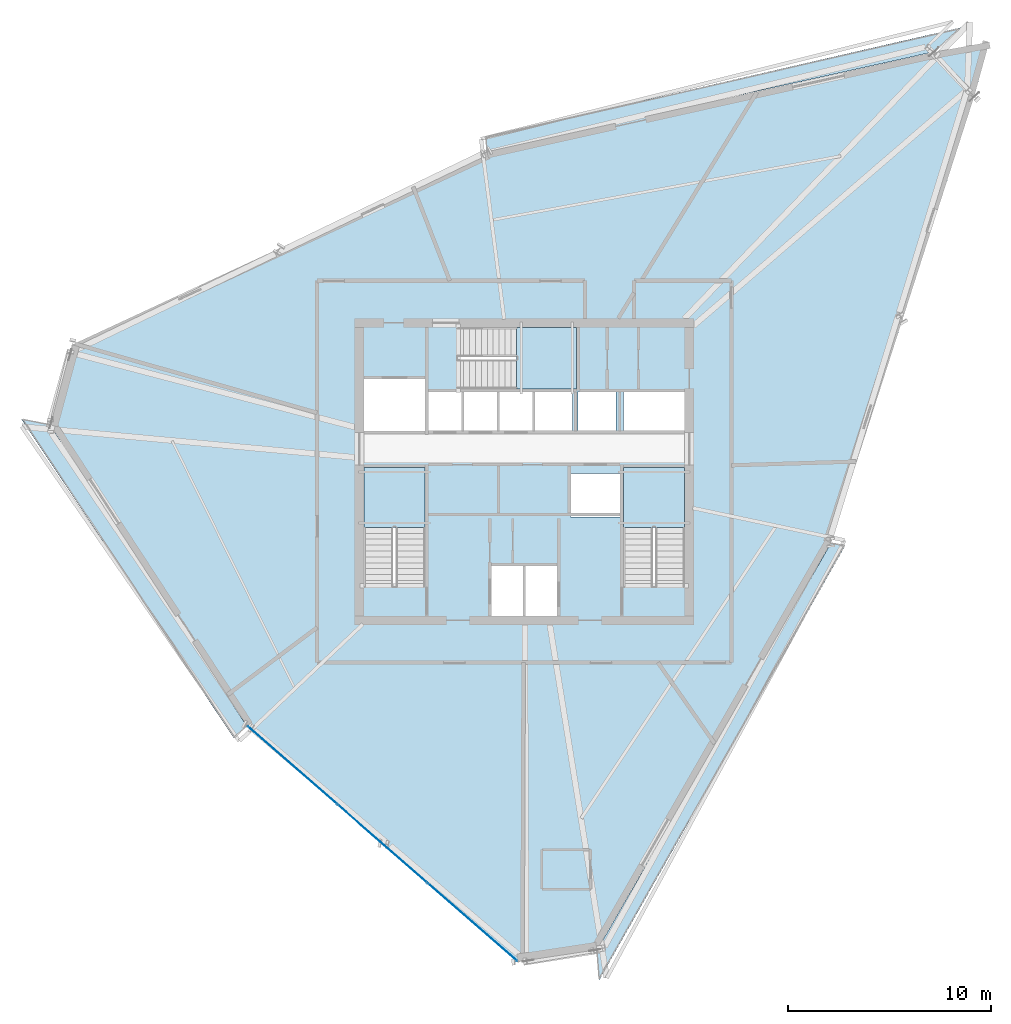
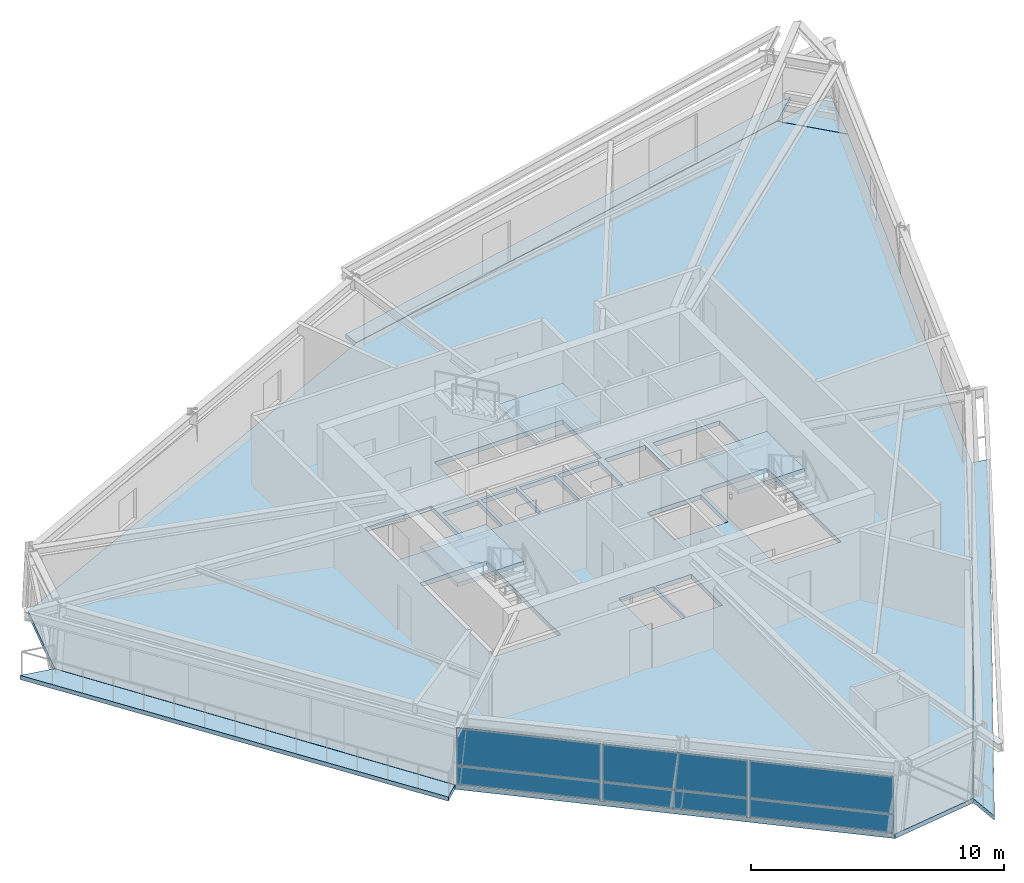
# One storey, part 5 of 13: 8 slabs, 6 plates, 4 elements without a shape of their own.
"""IFC4 building model written with IfcOpenShell, lengths in metres."""

from ifc_helpers import new_model, si_unit, direction, frame, origin, origin_2d, place, context, subcontext, project, spatial, polyline, rectangle, outline, extrude, source, transform, mapped, material, layer, layer_set, type_object, element, aggregate, save


model = new_model("IFC4")

# Units and contexts
model_context = context("Model", 3, precision=1e-05, world=origin(), true_north=direction((0.0, 1.0)))
body_context = subcontext(model_context, "Body", "Model", "MODEL_VIEW")
ifc_project = project(units=[si_unit("LENGTHUNIT", "METRE"), si_unit("AREAUNIT", "SQUARE_METRE"), si_unit("VOLUMEUNIT", "CUBIC_METRE"), si_unit("PLANEANGLEUNIT", "RADIAN"), si_unit("MASSUNIT", "GRAM", prefix="KILO")], contexts=[model_context])

# Site, building, storey
site_placement = place(None, origin())
site = spatial("IfcSite", under=ifc_project, at=site_placement, CompositionType="ELEMENT")
building_placement = place(site_placement, origin())
building = spatial("IfcBuilding", under=site, at=building_placement, Name="Olszyna Solenne Hotel", CompositionType="ELEMENT")
storey_placement = place(building_placement, frame((0.0, 0.0, 209.60009765625)))
storey = spatial("IfcBuildingStorey", under=building, at=storey_placement, Name="L55", CompositionType="ELEMENT", Elevation=209.60009765625)

# Stair, slab
ifc_material_1 = material(Name="Concrete C40/50", Category="concrete")
stair_type = type_object("IfcStairType", Name="STR-C1", PredefinedType="TWO_QUARTER_WINDING_STAIR", material=ifc_material_1)
stair_1_placement = place(storey_placement, origin())
stair_1 = element("IfcStair", 1, at=stair_1_placement, inside=storey, type_object=stair_type, Name="L55 ST1", PredefinedType="TWO_QUARTER_WINDING_STAIR")
ifc_layer_1 = layer(ifc_material_1, 0.18994140625, Name="Concrete C40/50")
ifc_layer_set_1 = layer_set([ifc_layer_1], Name="Concrete C40/50")
slab_type_1 = type_object("IfcSlabType", Name="SL-LN190", PredefinedType="LANDING", material=ifc_layer_set_1)
slab_1_placement = place(storey_placement, frame((0.0, 0.0, 1.574951171875)))
slab_1 = element("IfcSlab", 2, at=slab_1_placement, type_object=slab_type_1, Name="ST1 landing 1", PredefinedType="LANDING", context=body_context, shape_type="SweptSolid", body=[
    extrude(outline(polyline([(33.1201171875, 23.85009765625), (33.1201171875, 26.800048828125), (30.10009765625, 26.800048828125), (30.10009765625, 23.85009765625), (33.1201171875, 23.85009765625)])), origin(), (0.0, 0.0, 1.0), 0.199951171875),
])
aggregate(stair_1, [slab_1])

stair_2_placement = place(storey_placement, origin())
stair_2 = element("IfcStair", 3, at=stair_2_placement, inside=storey, type_object=stair_type, Name="L55 ST2", PredefinedType="TWO_QUARTER_WINDING_STAIR")
slab_2_placement = place(storey_placement, frame((0.0, 0.0, 1.574951171875)))
slab_2 = element("IfcSlab", 4, at=slab_2_placement, type_object=slab_type_1, Name="ST2 landing 1", PredefinedType="LANDING", context=body_context, shape_type="SweptSolid", body=[
    extrude(outline(polyline([(45.89990234375, 23.85009765625), (45.89990234375, 26.800048828125), (42.8798828125, 26.800048828125), (42.8798828125, 23.85009765625), (45.89990234375, 23.85009765625)])), origin(), (0.0, 0.0, 1.0), 0.199951171875),
])
aggregate(stair_2, [slab_2])

stair_3_placement = place(storey_placement, origin())
stair_3 = element("IfcStair", 5, at=stair_3_placement, inside=storey, type_object=stair_type, Name="L55 ST3", PredefinedType="TWO_QUARTER_WINDING_STAIR")
slab_3_placement = place(storey_placement, frame((0.0, 0.0, 1.574951171875)))
slab_3 = element("IfcSlab", 6, at=slab_3_placement, type_object=slab_type_1, Name="ST3 landing 1", PredefinedType="LANDING", context=body_context, shape_type="SweptSolid", body=[
    extrude(outline(polyline([(37.6298828125, 30.679931640625), (40.580078125, 30.679931640625), (40.580078125, 33.699951171875), (37.6298828125, 33.699951171875), (37.6298828125, 30.679931640625)])), origin(), (0.0, 0.0, 1.0), 0.199951171875),
])
aggregate(stair_3, [slab_3])

# Slabs
ifc_material_2 = material(Name="Precast concrete C45/55", Category="concrete")
ifc_layer_2 = layer(ifc_material_2, 0.199951171875, Name="Precast concrete C45/55")
ifc_layer_set_2 = layer_set([ifc_layer_2], Name="Precast concrete C45/55")
slab_type_2 = type_object("IfcSlabType", Name="SL-LOG200", PredefinedType="FLOOR", material=ifc_layer_set_2)
slab_4_placement = place(storey_placement, frame((0.0, 0.0, -0.2001953125)))
element("IfcSlab", 7, at=slab_4_placement, inside=storey, type_object=slab_type_2, Name="Exterior loggia balcony slab SL-L55-LG1", PredefinedType="FLOOR", context=body_context, shape_type="SweptSolid", body=[
    extrude(outline(polyline([(36.168701171875, 42.36474609375), (58.1669921875, 47.267578125), (58.16748046875, 47.267822265625), (58.19091796875, 47.27197265625), (59.478515625, 48.461181640625), (36.112060546875, 43.093994140625), (36.168701171875, 42.36474609375)])), origin(), (0.0, 0.0, 1.0), 0.2001953125),
])
slab_5_placement = place(storey_placement, frame((0.0, 0.0, -0.2001953125)))
element("IfcSlab", 8, at=slab_5_placement, inside=storey, type_object=slab_type_2, Name="Exterior loggia balcony slab SL-L55-LG2", PredefinedType="FLOOR", context=body_context, shape_type="SweptSolid", body=[
    extrude(outline(polyline([(24.336181640625, 14.078369140625), (24.33544921875, 14.0791015625), (24.334716796875, 14.080322265625), (14.65625, 28.89404296875), (14.655517578125, 28.895263671875), (14.65478515625, 28.896484375), (14.654541015625, 28.897705078125), (14.654052734375, 28.899169921875), (14.65380859375, 28.900390625), (14.65380859375, 28.90185546875), (14.65380859375, 28.9033203125), (14.654052734375, 28.90478515625), (14.654052734375, 28.905029296875), (13.244384765625, 29.1826171875), (23.693115234375, 13.484375), (24.336181640625, 14.078369140625)])), origin(), (0.0, 0.0, 1.0), 0.2001953125),
])
slab_6_placement = place(storey_placement, frame((0.0, 0.0, -0.2001953125)))
element("IfcSlab", 9, at=slab_6_placement, inside=storey, type_object=slab_type_2, Name="Exterior loggia balcony slab SL-L55-LG3", PredefinedType="FLOOR", context=body_context, shape_type="SweptSolid", body=[
    extrude(outline(polyline([(53.1064453125, 23.08154296875), (53.10595703125, 23.079833984375), (53.105224609375, 23.078369140625), (53.1044921875, 23.076904296875), (41.592529296875, 3.047119140625), (41.591796875, 3.0458984375), (41.5908203125, 3.044921875), (41.589599609375, 3.043701171875), (41.588623046875, 3.042724609375), (41.58740234375, 3.0419921875), (41.5859375, 3.041259765625), (41.584716796875, 3.04052734375), (41.583251953125, 3.040283203125), (41.581787109375, 3.039794921875), (41.580810546875, 3.039794921875), (41.695556640625, 1.566162109375), (53.8037109375, 22.944091796875), (53.1064453125, 23.08154296875)])), origin(), (0.0, 0.0, 1.0), 0.2001953125),
])
ifc_material_3 = material(Name="Concrete C50/60", Category="concrete")
ifc_layer_3 = layer(ifc_material_3, 0.219970703125, Name="Concrete C50/60")
ifc_layer_set_3 = layer_set([ifc_layer_3], Name="Concrete C50/60")
slab_type_3 = type_object("IfcSlabType", Name="SL-TW225", PredefinedType="FLOOR", material=ifc_layer_set_3)
slab_7_placement = place(storey_placement, frame((0.0, 0.0, -0.22021484375)))
element("IfcSlab", 10, at=slab_7_placement, inside=storey, type_object=slab_type_3, Name="Floor slab SL-TW225 SL-L55-01", PredefinedType="FLOOR", context=body_context, shape_type="SweptSolid", body=[
    extrude(outline(polyline([(60.15869140625, 45.0791015625), (58.170166015625, 47.2529296875), (36.169921875, 42.349609375), (15.732421875, 32.84423828125), (14.668701171875, 28.902099609375), (24.34716796875, 14.08837890625), (37.690673828125, 2.466552734375), (41.57958984375, 3.0546875), (53.091552734375, 23.08447265625), (60.15869140625, 45.0791015625)]), holes=[polyline([(30.10009765625, 20.949951171875), (33.1201171875, 20.949951171875), (33.1201171875, 26.800048828125), (30.10009765625, 26.800048828125), (30.10009765625, 20.949951171875)]), polyline([(42.8798828125, 20.949951171875), (45.89990234375, 20.949951171875), (45.89990234375, 26.800048828125), (42.8798828125, 26.800048828125), (42.8798828125, 20.949951171875)]), polyline([(34.72998046875, 30.679931640625), (40.580078125, 30.679931640625), (40.580078125, 33.699951171875), (34.72998046875, 33.699951171875), (34.72998046875, 30.679931640625)]), polyline([(36.340087890625, 19.5), (37.9599609375, 19.5), (37.9599609375, 21.9599609375), (36.340087890625, 21.9599609375), (36.340087890625, 19.5)]), polyline([(38.0400390625, 19.5), (39.659912109375, 19.5), (39.659912109375, 21.9599609375), (38.0400390625, 21.9599609375), (38.0400390625, 19.5)]), polyline([(30.10009765625, 28.60009765625), (33.1201171875, 28.60009765625), (33.1201171875, 31.159912109375), (30.10009765625, 31.159912109375), (30.10009765625, 28.60009765625)]), polyline([(40.280029296875, 24.360107421875), (42.719970703125, 24.360107421875), (42.719970703125, 26.5), (40.280029296875, 26.5), (40.280029296875, 24.360107421875)]), polyline([(33.280029296875, 28.60009765625), (34.89990234375, 28.60009765625), (34.89990234375, 30.550048828125), (33.280029296875, 30.550048828125), (33.280029296875, 28.60009765625)]), polyline([(35.030029296875, 28.60009765625), (36.64990234375, 28.60009765625), (36.64990234375, 30.550048828125), (35.030029296875, 30.550048828125), (35.030029296875, 28.60009765625)]), polyline([(36.780029296875, 28.60009765625), (38.39990234375, 28.60009765625), (38.39990234375, 30.550048828125), (36.780029296875, 30.550048828125), (36.780029296875, 28.60009765625)]), polyline([(38.530029296875, 28.60009765625), (40.389892578125, 28.60009765625), (40.389892578125, 30.550048828125), (38.530029296875, 30.550048828125), (38.530029296875, 28.60009765625)]), polyline([(40.659912109375, 28.60009765625), (42.52001953125, 28.60009765625), (42.52001953125, 30.550048828125), (40.659912109375, 30.550048828125), (40.659912109375, 28.60009765625)]), polyline([(42.8798828125, 28.60009765625), (45.89990234375, 28.60009765625), (45.89990234375, 30.550048828125), (42.8798828125, 30.550048828125), (42.8798828125, 28.60009765625)])]), origin(), (0.0, 0.0, 1.0), 0.22021484375),
])
slab_8_placement = place(storey_placement, frame((0.0, 0.0, -0.22021484375)))
element("IfcSlab", 11, at=slab_8_placement, inside=storey, type_object=slab_type_3, Name="Faceted glass-prism floor slab SL-L55-PR", PredefinedType="FLOOR", context=body_context, shape_type="SweptSolid", body=[
    extrude(outline(polyline([(58.181884765625, 47.255126953125), (60.161865234375, 45.090576171875), (60.8984375, 47.752197265625), (58.181884765625, 47.255126953125)])), origin(), (0.0, 0.0, 1.0), 0.22021484375),
])

# Curtain wall, plates
ifc_material_4 = material(Name="Anodised bronze aluminium", Category="aluminium")
curtain_wall_type = type_object("IfcCurtainWallType", Name="CW-SYS-4", PredefinedType="NOTDEFINED", material=ifc_material_4)
curtain_wall_placement = place(storey_placement, origin())
curtain_wall = element("IfcCurtainWall", 12, at=curtain_wall_placement, inside=storey, type_object=curtain_wall_type, Name="Unitised curtain wall CW-SYS-4 CW-L55-01", PredefinedType="NOTDEFINED")
ifc_material_5 = material(Name="Terracotta cladding", Category="masonry")
plate_type_1 = type_object("IfcPlateType", Name="PN-SP1", PredefinedType="CURTAIN_PANEL", material=ifc_material_5)
shared_shape_1 = source(origin(), body_context, "Body", "SweptSolid", [
    extrude(rectangle(XDim=5.80078125, YDim=0.035888671875, at=origin_2d()), origin(), (0.0, 0.0, 1.0), 0.8525390625),
])
plate_1_placement = place(storey_placement, frame((26.583251953125, 12.140869140625, 0.06494140625), z_axis=(0.0, 0.0, 1.0), x_axis=(0.754075185473, -0.656788104836, 0.0)))
plate_1 = element("IfcPlate", 13, at=plate_1_placement, type_object=plate_type_1, Name="Curtain-wall panel PN-SP1 CP-L55-01-01", PredefinedType="CURTAIN_PANEL", context=body_context, shape_type="MappedRepresentation", body=[
    mapped(shared_shape_1, transform((0.0, 0.0, 0.0), x_axis=(1.0, 0.0, 0.0), y_axis=(0.0, 1.0, 0.0), z_axis=(0.0, 0.0, 1.0), scale=1.0)),
])
plate_2_placement = place(storey_placement, frame((35.454345703125, 4.414306640625, 0.06494140625), z_axis=(0.0, 0.0, 1.0), x_axis=(0.754075185473, -0.656788104836, 0.0)))
plate_2 = element("IfcPlate", 14, at=plate_2_placement, type_object=plate_type_1, Name="Curtain-wall panel PN-SP1 CP-L55-01-05", PredefinedType="CURTAIN_PANEL", context=body_context, shape_type="MappedRepresentation", body=[
    mapped(shared_shape_1, transform((0.0, 0.0, 0.0), x_axis=(1.0, 0.0, 0.0), y_axis=(0.0, 1.0, 0.0), z_axis=(0.0, 0.0, 1.0), scale=1.0)),
])
ifc_material_6 = material(Name="Low-E triple glazing", Category="glass")
plate_type_2 = type_object("IfcPlateType", Name="PN-GL1", PredefinedType="CURTAIN_PANEL", material=ifc_material_6)
shared_shape_2 = source(origin(), body_context, "Body", "SweptSolid", [
    extrude(rectangle(XDim=5.80078125, YDim=0.035888671875, at=origin_2d()), origin(), (0.0, 0.0, 1.0), 1.7744140625),
])
plate_3_placement = place(storey_placement, frame((26.583251953125, 12.140869140625, 0.982421875), z_axis=(0.0, 0.0, 1.0), x_axis=(0.754075185473, -0.656788104836, 0.0)))
plate_3 = element("IfcPlate", 15, at=plate_3_placement, type_object=plate_type_2, Name="Curtain-wall panel PN-GL1 CP-L55-01-02", PredefinedType="CURTAIN_PANEL", context=body_context, shape_type="MappedRepresentation", body=[
    mapped(shared_shape_2, transform((0.0, 0.0, 0.0), x_axis=(1.0, 0.0, 0.0), y_axis=(0.0, 1.0, 0.0), z_axis=(0.0, 0.0, 1.0), scale=1.0)),
])
plate_4_placement = place(storey_placement, frame((35.454345703125, 4.414306640625, 0.982421875), z_axis=(0.0, 0.0, 1.0), x_axis=(0.754075185473, -0.656788104836, 0.0)))
plate_4 = element("IfcPlate", 16, at=plate_4_placement, type_object=plate_type_2, Name="Curtain-wall panel PN-GL1 CP-L55-01-06", PredefinedType="CURTAIN_PANEL", context=body_context, shape_type="MappedRepresentation", body=[
    mapped(shared_shape_2, transform((0.0, 0.0, 0.0), x_axis=(1.0, 0.0, 0.0), y_axis=(0.0, 1.0, 0.0), z_axis=(0.0, 0.0, 1.0), scale=1.0)),
])
shared_shape_3 = source(origin(), body_context, "Body", "SweptSolid", [
    extrude(rectangle(XDim=5.833251953125, YDim=0.035888671875, at=origin_2d()), origin(), (0.0, 0.0, 1.0), 0.8525390625),
])
plate_5_placement = place(storey_placement, frame((31.018798828125, 8.277587890625, 0.06494140625), z_axis=(0.0, 0.0, 1.0), x_axis=(0.754075185473, -0.656788104836, 0.0)))
plate_5 = element("IfcPlate", 17, at=plate_5_placement, type_object=plate_type_1, Name="Curtain-wall panel PN-SP1 CP-L55-01-03", PredefinedType="CURTAIN_PANEL", context=body_context, shape_type="MappedRepresentation", body=[
    mapped(shared_shape_3, transform((0.0, 0.0, 0.0), x_axis=(1.0, 0.0, 0.0), y_axis=(0.0, 1.0, 0.0), z_axis=(0.0, 0.0, 1.0), scale=1.0)),
])
shared_shape_4 = source(origin(), body_context, "Body", "SweptSolid", [
    extrude(rectangle(XDim=5.833251953125, YDim=0.035888671875, at=origin_2d()), origin(), (0.0, 0.0, 1.0), 1.7744140625),
])
plate_6_placement = place(storey_placement, frame((31.018798828125, 8.277587890625, 0.982421875), z_axis=(0.0, 0.0, 1.0), x_axis=(0.754075185473, -0.656788104836, 0.0)))
plate_6 = element("IfcPlate", 18, at=plate_6_placement, type_object=plate_type_2, Name="Curtain-wall panel PN-GL1 CP-L55-01-04", PredefinedType="CURTAIN_PANEL", context=body_context, shape_type="MappedRepresentation", body=[
    mapped(shared_shape_4, transform((0.0, 0.0, 0.0), x_axis=(1.0, 0.0, 0.0), y_axis=(0.0, 1.0, 0.0), z_axis=(0.0, 0.0, 1.0), scale=1.0)),
])
aggregate(curtain_wall, [plate_1, plate_3, plate_5, plate_6, plate_2, plate_4])

save(model, "model.ifc")
